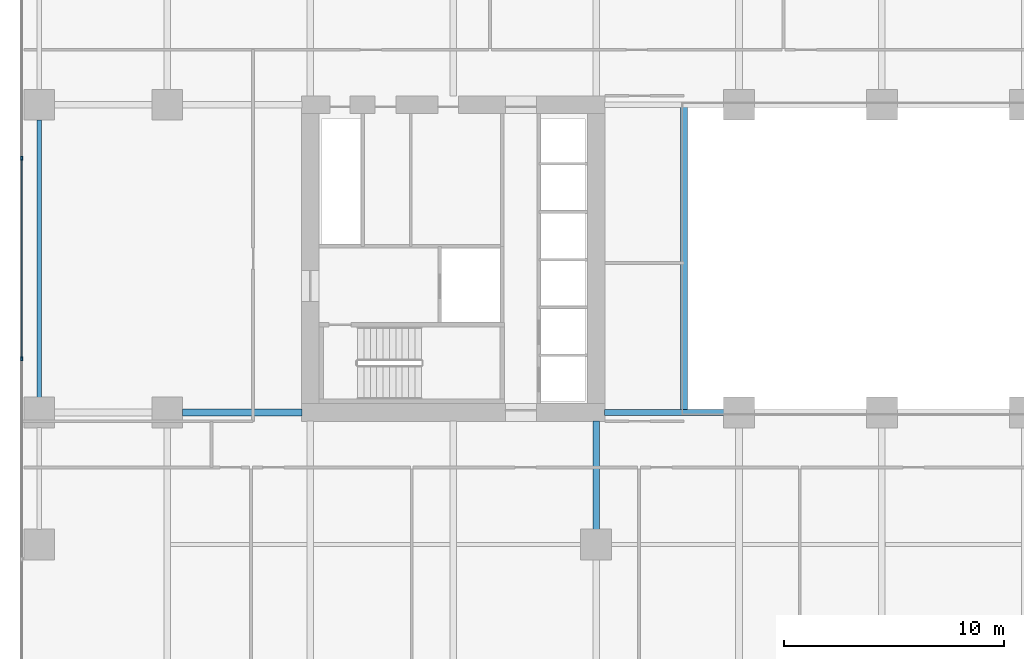
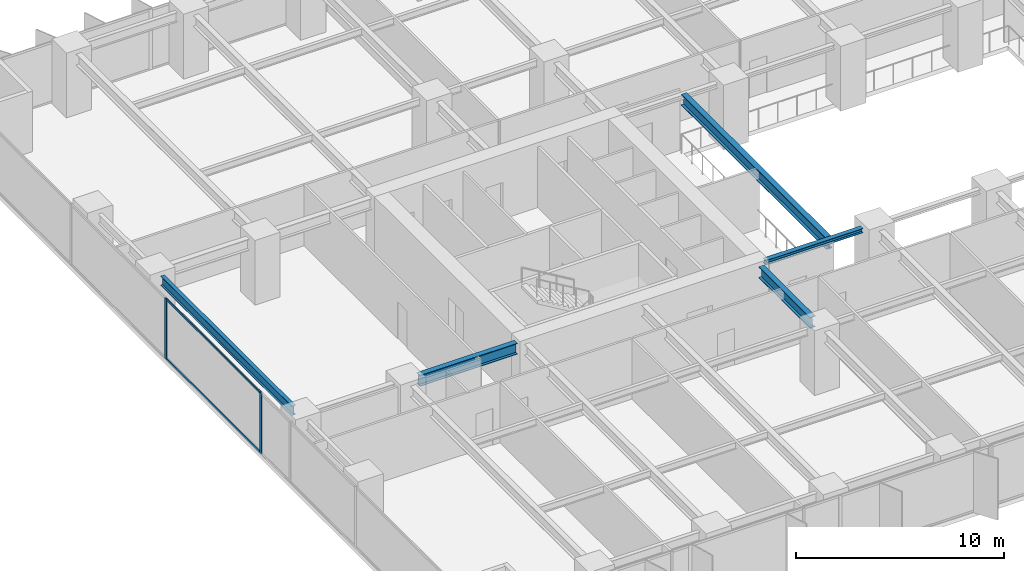
# One storey, part 4 of 20: 5 beams, 4 members, 1 element without a shape of its own.
"""IFC4 building model written with IfcOpenShell, lengths in metres."""

from ifc_helpers import new_model, si_unit, direction, frame, origin, origin_2d, place, context, subcontext, project, spatial, rectangle, i_section, extrude, material, layer, layer_set, material_profile, profile_set, type_object, element, aggregate, save


model = new_model("IFC4")

# Units and contexts
model_context = context("Model", 3, precision=1e-05, world=origin(), true_north=direction((0.0, 1.0)))
body_context = subcontext(model_context, "Body", "Model", "MODEL_VIEW")
ifc_project = project(units=[si_unit("LENGTHUNIT", "METRE"), si_unit("AREAUNIT", "SQUARE_METRE"), si_unit("VOLUMEUNIT", "CUBIC_METRE"), si_unit("PLANEANGLEUNIT", "RADIAN"), si_unit("MASSUNIT", "GRAM", prefix="KILO")], contexts=[model_context])

# Site, building, storey
site_placement = place(None, origin())
site = spatial("IfcSite", under=ifc_project, at=site_placement, CompositionType="ELEMENT")
building_placement = place(site_placement, origin())
building = spatial("IfcBuilding", under=site, at=building_placement, Name="Putna Gate Headquarters", CompositionType="ELEMENT")
storey_placement = place(building_placement, frame((0.0, 0.0, 69.60009765625)))
storey = spatial("IfcBuildingStorey", under=building, at=storey_placement, Name="L16", CompositionType="ELEMENT", Elevation=69.60009765625)

# Beams
ifc_material_1 = material(Name="Steel S355J2", Category="steel")
ifc_material_profile_1 = material_profile(ifc_material_1, i_section(OverallWidth=0.260009765625, OverallDepth=0.260009765625, WebThickness=0.010009765625, FlangeThickness=0.017578125, at=origin_2d()), Name="Steel S355J2")
ifc_profile_set_1 = profile_set([ifc_material_profile_1], Name="Steel S355J2")
beam_type_1 = type_object("IfcBeamType", Name="BM-ATRIUM-HEB260", PredefinedType="BEAM", material=ifc_profile_set_1)
beam_1_placement = place(storey_placement, frame((26.385009765625, 19.0, 3.419921875), z_axis=(1.0, 0.0, 0.0), x_axis=(0.0, 1.0, 0.0)))
element("IfcBeam", 1, at=beam_1_placement, inside=storey, type_object=beam_type_1, Name="L16 Atrium Edge Beam AS1", PredefinedType="BEAM", context=body_context, shape_type="SweptSolid", body=[
    extrude(i_section(OverallWidth=0.260009765625, OverallDepth=0.260009765625, WebThickness=0.010009765625, FlangeThickness=0.017578125, at=origin_2d()), origin(), (0.0, 0.0, 1.0), 5.427001953125),
])
ifc_material_profile_2 = material_profile(ifc_material_1, i_section(OverallWidth=0.300048828125, OverallDepth=0.64990234375, WebThickness=0.01611328125, FlangeThickness=0.031005859375, at=origin_2d()), Name="Steel S355J2")
ifc_profile_set_2 = profile_set([ifc_material_profile_2], Name="Steel S355J2")
beam_type_2 = type_object("IfcBeamType", Name="BM-GIRD-Z1-HEB650", PredefinedType="USERDEFINED", material=ifc_profile_set_2)
beam_2_placement = place(storey_placement, frame((7.18798828125, 19.0, 3.224853515625), z_axis=(1.0, 0.0, 0.0), x_axis=(0.0, 1.0, 0.0)))
element("IfcBeam", 2, at=beam_2_placement, inside=storey, type_object=beam_type_2, Name="L16 West Wing Girder Y19-2", ObjectType="GIRDER", PredefinedType="USERDEFINED", context=body_context, shape_type="SweptSolid", body=[
    extrude(i_section(OverallWidth=0.300048828125, OverallDepth=0.64990234375, WebThickness=0.01611328125, FlangeThickness=0.031005859375, at=origin_2d()), origin(), (0.0, 0.0, 1.0), 5.427001953125),
])
beam_3_placement = place(storey_placement, frame((26.0, 13.68798828125, 3.224853515625), z_axis=(0.0, 1.0, 0.0), x_axis=(-1.0, 0.0, 0.0)))
element("IfcBeam", 3, at=beam_3_placement, inside=storey, type_object=beam_type_2, Name="L16 South Primary Girder X26-2", ObjectType="GIRDER", PredefinedType="USERDEFINED", context=body_context, shape_type="SweptSolid", body=[
    extrude(i_section(OverallWidth=0.300048828125, OverallDepth=0.64990234375, WebThickness=0.01611328125, FlangeThickness=0.031005859375, at=origin_2d()), origin(), (0.0, 0.0, 1.0), 4.927001953125),
])
beam_4_placement = place(storey_placement, frame((30.0, 19.010009765625, 3.224853515625), z_axis=(0.0, 1.0, 0.0), x_axis=(-1.0, 0.0, 0.0)))
element("IfcBeam", 4, at=beam_4_placement, inside=storey, type_object=beam_type_2, Name="L16 Atrium Trim Girder AW", ObjectType="GIRDER", PredefinedType="USERDEFINED", context=body_context, shape_type="SweptSolid", body=[
    extrude(i_section(OverallWidth=0.300048828125, OverallDepth=0.64990234375, WebThickness=0.01611328125, FlangeThickness=0.031005859375, at=origin_2d()), origin(), (0.0, 0.0, 1.0), 13.97998046875),
])
ifc_material_profile_3 = material_profile(ifc_material_1, i_section(OverallWidth=0.2099609375, OverallDepth=0.550048828125, WebThickness=0.010986328125, FlangeThickness=0.01708984375, at=origin_2d()), Name="Steel S355J2")
ifc_profile_set_3 = profile_set([ifc_material_profile_3], Name="Steel S355J2")
beam_type_3 = type_object("IfcBeamType", Name="BM-SPAN-Z1-IPE550", PredefinedType="SPANDREL", material=ifc_profile_set_3)
beam_5_placement = place(storey_placement, frame((0.679931640625, 19.68798828125, 3.27490234375), z_axis=(0.0, 1.0, 0.0), x_axis=(-1.0, 0.0, 0.0)))
element("IfcBeam", 5, at=beam_5_placement, inside=storey, type_object=beam_type_3, Name="L16 W End Spandrel 2", PredefinedType="SPANDREL", context=body_context, shape_type="SweptSolid", body=[
    extrude(i_section(OverallWidth=0.2099609375, OverallDepth=0.550048828125, WebThickness=0.010986328125, FlangeThickness=0.01708984375, at=origin_2d()), origin(), (0.0, 0.0, 1.0), 12.6240234375),
])

# Curtain wall, members
ifc_material_2 = material(Name="Anodised bronze aluminium curtain wall", Category="aluminium")
ifc_layer = layer(ifc_material_2, 0.179931640625)
ifc_layer_set = layer_set([ifc_layer], Name="Anodised bronze aluminium curtain wall")
curtain_wall_type = type_object("IfcCurtainWallType", Name="CW-SYS-Z1", PredefinedType="USERDEFINED", material=ifc_layer_set)
curtain_wall_placement = place(storey_placement, origin())
curtain_wall = element("IfcCurtainWall", 6, at=curtain_wall_placement, inside=storey, type_object=curtain_wall_type, Name="L16 West Curtain Wall", ObjectType="STICK CURTAIN WALL", PredefinedType="USERDEFINED")
ifc_material_3 = material(Name="Anodised bronze aluminium EN AW-6060", Category="aluminium")
ifc_material_profile_4 = material_profile(ifc_material_3, rectangle(XDim=0.070068359375, YDim=0.179931640625, at=origin_2d()), Name="Anodised bronze aluminium EN AW-6060")
ifc_profile_set_4 = profile_set([ifc_material_profile_4], Name="Anodised bronze aluminium EN AW-6060")
member_type_1 = type_object("IfcMemberType", Name="MULL-CWM-1", PredefinedType="MULLION", material=ifc_profile_set_4)
member_1_placement = place(storey_placement, frame((-0.1201171875, 21.43994140625, 0.0), z_axis=(0.0, 0.0, 1.0), x_axis=(-1.0, 0.0, 0.0)))
member_1 = element("IfcMember", 7, at=member_1_placement, type_object=member_type_1, Name="CWS-1 mullion 3", PredefinedType="MULLION", context=body_context, shape_type="SweptSolid", body=[
    extrude(rectangle(XDim=0.070068359375, YDim=0.179931640625, at=origin_2d()), origin(), (0.0, 0.0, 1.0), 3.5498046875),
])
member_2_placement = place(storey_placement, frame((-0.1201171875, 30.56005859375, 0.0), z_axis=(0.0, 0.0, 1.0), x_axis=(-1.0, 0.0, 0.0)))
member_2 = element("IfcMember", 8, at=member_2_placement, type_object=member_type_1, Name="CWS-1 mullion 4", PredefinedType="MULLION", context=body_context, shape_type="SweptSolid", body=[
    extrude(rectangle(XDim=0.070068359375, YDim=0.179931640625, at=origin_2d()), origin(), (0.0, 0.0, 1.0), 3.5498046875),
])
ifc_material_profile_5 = material_profile(ifc_material_3, rectangle(XDim=0.06494140625, YDim=0.1201171875, at=origin_2d()), Name="Anodised bronze aluminium EN AW-6060")
ifc_profile_set_5 = profile_set([ifc_material_profile_5], Name="Anodised bronze aluminium EN AW-6060")
member_type_2 = type_object("IfcMemberType", Name="TRAN-CWT-1", PredefinedType="USERDEFINED", material=ifc_profile_set_5)
member_3_placement = place(storey_placement, frame((-0.1201171875, 21.47509765625, 0.032470703125), z_axis=(0.0, 1.0, 0.0), x_axis=(-1.0, 0.0, 0.0)))
member_3 = element("IfcMember", 9, at=member_3_placement, type_object=member_type_2, Name="CWS-1 transom 3.1", ObjectType="TRANSOM", PredefinedType="USERDEFINED", context=body_context, shape_type="SweptSolid", body=[
    extrude(rectangle(XDim=0.06494140625, YDim=0.1201171875, at=origin_2d()), origin(), (0.0, 0.0, 1.0), 9.0498046875),
])
member_4_placement = place(storey_placement, frame((-0.1201171875, 21.47509765625, 3.517333984375), z_axis=(0.0, 1.0, 0.0), x_axis=(-1.0, 0.0, 0.0)))
member_4 = element("IfcMember", 10, at=member_4_placement, type_object=member_type_2, Name="CWS-1 transom 3.2", ObjectType="TRANSOM", PredefinedType="USERDEFINED", context=body_context, shape_type="SweptSolid", body=[
    extrude(rectangle(XDim=0.06494140625, YDim=0.1201171875, at=origin_2d()), origin(), (0.0, 0.0, 1.0), 9.0498046875),
])
aggregate(curtain_wall, [member_1, member_2, member_3, member_4])

save(model, "model.ifc")
